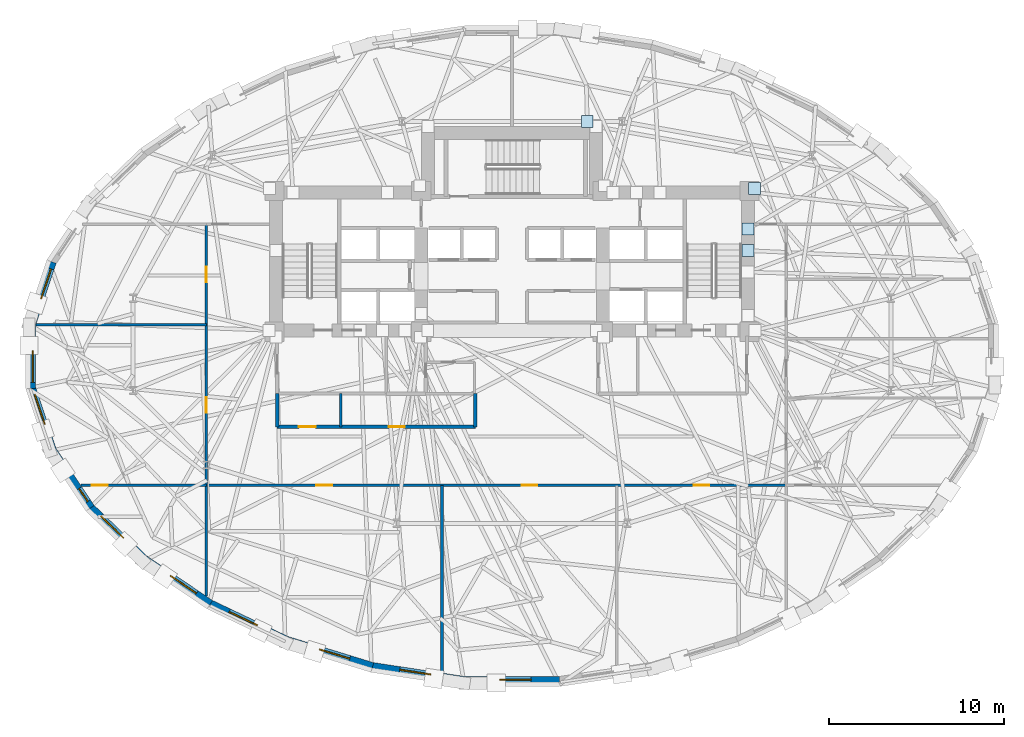
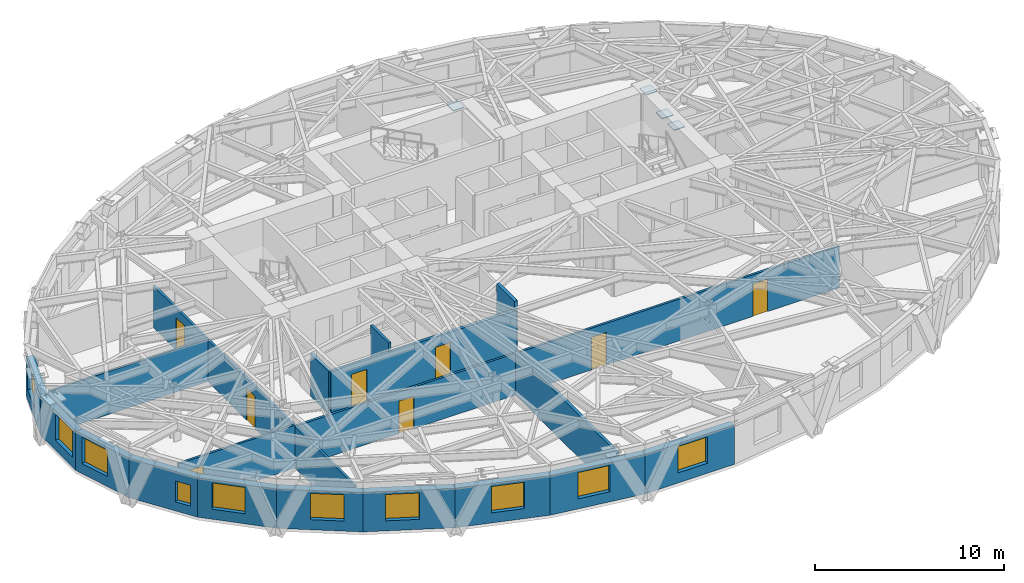
# One storey, part 6 of 14: 19 walls, 10 windows, 8 doors, 4 plates, 18 openings.
"""IFC4 building model written with IfcOpenShell, lengths in metres."""

import ifcopenshell
import ifcopenshell.guid

model = None  # the IFC model being written
_history = None  # IfcOwnerHistory: only IFC2X3 demands one
_inside = {}  # id of a spatial element -> (the spatial element, [elements in it])
_under = {}  # id of a project, library or spatial element -> (it, [spatial elements below it])
_declared = {}  # id of a project -> (the project, [libraries it declares])
_typed = {}  # id of a type object -> (the type object, [elements of that type])
_made_of = {}  # id of a material, layer set ... -> (it, [elements and type objects made of it])


def new_model(schema):
    """Start an empty IFC model of exactly this schema.

    Asked for "IFC4X3", IfcOpenShell would pick the latest addendum, in which some entities
    have other attributes; the version numbers below select the first issue.
    IFC2X3 requires an IfcOwnerHistory on every rooted entity: one is made here for all.
    """
    global model, _history
    if schema == "IFC4X3":
        model = ifcopenshell.file(schema_version=(4, 3, 0, 0))
    else:
        model = ifcopenshell.file(schema=schema)
    _inside.clear()
    _under.clear()
    _declared.clear()
    _typed.clear()
    _made_of.clear()
    _history = None
    if model.schema == "IFC2X3":
        org = make("IfcOrganization", Name="unknown")
        user = make(
            "IfcPersonAndOrganization",
            ThePerson=make("IfcPerson", FamilyName="unknown"),
            TheOrganization=org,
        )
        app = make(
            "IfcApplication",
            ApplicationDeveloper=org,
            Version="unknown",
            ApplicationFullName="unknown",
            ApplicationIdentifier="unknown",
        )
        _history = make(
            "IfcOwnerHistory",
            OwningUser=user,
            OwningApplication=app,
            ChangeAction="ADDED",
            CreationDate=0,
        )
    return model


def make(cls, **values):
    """One entity of the class cls with the attributes given. An attribute that is None is left unset."""
    return model.create_entity(
        cls, **{name: value for name, value in values.items() if value is not None}
    )


def rooted(cls, **values):
    """An entity with a GlobalId (a new one), such as an element, a storey or a relation."""
    return make(cls, GlobalId=ifcopenshell.guid.new(), OwnerHistory=_history, **values)


def si_unit(unit_type, name, prefix=None):
    """IfcSIUnit, for example si_unit("LENGTHUNIT", "METRE", prefix="MILLI")."""
    return make("IfcSIUnit", UnitType=unit_type, Prefix=prefix, Name=name)


def assignment(units):
    """IfcUnitAssignment: the units of a project."""
    return None if units is None else make("IfcUnitAssignment", Units=units)


def point(xyz):
    """IfcCartesianPoint."""
    return None if xyz is None else make("IfcCartesianPoint", Coordinates=xyz)


def direction(xyz):
    """IfcDirection."""
    return None if xyz is None else make("IfcDirection", DirectionRatios=xyz)


def frame(location, z_axis=None, x_axis=None):
    """IfcAxis2Placement3D, a coordinate frame: its origin and axes. An axis left out is left unset."""
    return make(
        "IfcAxis2Placement3D",
        Location=point(location),
        Axis=direction(z_axis),
        RefDirection=direction(x_axis),
    )


def frame_2d(location, x_axis=None):
    """IfcAxis2Placement2D, a coordinate frame in the plane: its origin and x axis."""
    return make(
        "IfcAxis2Placement2D", Location=point(location), RefDirection=direction(x_axis)
    )


def origin():
    """The frame at (0, 0, 0) with its axes left unset."""
    return frame((0.0, 0.0, 0.0))


def origin_2d():
    """The frame at (0, 0) in the plane with its x axis left unset."""
    return frame_2d((0.0, 0.0))


def place(relative_to, where):
    """IfcLocalPlacement: puts the frame where relative to a parent placement (None: the world)."""
    return make(
        "IfcLocalPlacement", PlacementRelTo=relative_to, RelativePlacement=where
    )


def context(
    kind, dimensions, precision=None, world=None, true_north=None, identifier=None
):
    """IfcGeometricRepresentationContext, for example the 3D "Model" context."""
    return make(
        "IfcGeometricRepresentationContext",
        ContextIdentifier=identifier,
        ContextType=kind,
        CoordinateSpaceDimension=dimensions,
        Precision=precision,
        WorldCoordinateSystem=world,
        TrueNorth=true_north,
    )


def subcontext(parent, identifier, kind, view, scale=None):
    """IfcGeometricRepresentationSubContext, for example "Body" below "Model"."""
    return make(
        "IfcGeometricRepresentationSubContext",
        ContextIdentifier=identifier,
        ContextType=kind,
        ParentContext=parent,
        TargetScale=scale,
        TargetView=view,
    )


def project(units=None, contexts=None):
    """IfcProject with its units and contexts."""
    return rooted(
        "IfcProject",
        Name="project",
        RepresentationContexts=contexts,
        UnitsInContext=assignment(units),
    )


def spatial(cls, under=None, at=None, **own):
    """A site, building, storey or space (cls), placed at a placement, below another one or the project."""
    s = rooted(cls, ObjectPlacement=at, **own)
    if under is not None:
        _under.setdefault(under.id(), (under, []))[1].append(s)
    return s


def profile(cls, at=None, kind="AREA", **sizes):
    """A parametric profile (cls). Its sizes go by their IFC names, for example OverallWidth=200.0."""
    return make(cls, ProfileType=kind, Position=at, **sizes)


def rectangle(**sizes):
    """IfcRectangleProfileDef."""
    return profile("IfcRectangleProfileDef", **sizes)


def extrude(swept, where, along, depth):
    """IfcExtrudedAreaSolid: the profile swept, set in the frame where, extruded along a direction by depth."""
    return make(
        "IfcExtrudedAreaSolid",
        SweptArea=swept,
        Position=where,
        ExtrudedDirection=direction(along),
        Depth=depth,
    )


def shape(context_of_items, identifier, shape_type, items):
    """IfcShapeRepresentation: the items that make up one representation, for example the "Body"."""
    return make(
        "IfcShapeRepresentation",
        ContextOfItems=context_of_items,
        RepresentationIdentifier=identifier,
        RepresentationType=shape_type,
        Items=items,
    )


def material(Name=None, Category=None):
    """IfcMaterial."""
    return make("IfcMaterial", Name=Name, Category=Category)


def layer(
    of_material, thickness, ventilated=None, Name=None, Category=None, Priority=None
):
    """IfcMaterialLayer: one layer of a wall or slab, of a material (None: an air gap)."""
    return make(
        "IfcMaterialLayer",
        Material=of_material,
        LayerThickness=thickness,
        IsVentilated=ventilated,
        Name=Name,
        Category=Category,
        Priority=Priority,
    )


def layer_set(layers, Name=None):
    """IfcMaterialLayerSet."""
    return make("IfcMaterialLayerSet", MaterialLayers=layers, LayerSetName=Name)


def made_of(thing, what):
    """Note that an element or type object is made of a material, layer set ...; save() writes the relation."""
    if what is not None:
        _made_of.setdefault(what.id(), (what, []))[1].append(thing)
    return thing


def type_object(cls, material=None, **own):
    """A type object (cls), such as IfcWallType, which elements share."""
    return made_of(rooted(cls, **own), material)


def element(
    cls,
    number,
    at=None,
    inside=None,
    cuts=None,
    type_object=None,
    material=None,
    context=None,
    identifier="Body",
    shape_type=None,
    held_by="IfcProductDefinitionShape",
    body=None,
    shapes=None,
    **own,
):
    """One element of the class cls, such as IfcWall. Its Tag is "e" and its number.

    at: its placement. inside: the storey or other place that contains it. cuts: it is an
    opening in that element (IfcRelVoidsElement). A single representation is given by context,
    identifier, shape_type and body (its items); several are given by shapes. held_by: the class
    of the entity that holds the representations. save() writes the other relations.
    """
    e = rooted(cls, Tag="e%d" % number, ObjectPlacement=at, **own)
    if body is not None:
        shapes = [shape(context, identifier, shape_type, body)]
    if shapes is not None:
        e.Representation = make(held_by, Representations=shapes)
    if inside is not None:
        _inside.setdefault(inside.id(), (inside, []))[1].append(e)
    if cuts is not None:
        rooted(
            "IfcRelVoidsElement", RelatingBuildingElement=cuts, RelatedOpeningElement=e
        )
    if type_object is not None:
        _typed.setdefault(type_object.id(), (type_object, []))[1].append(e)
    return made_of(e, material)


def fill(opening, filler):
    """IfcRelFillsElement: the door or window that sits in an opening."""
    return rooted(
        "IfcRelFillsElement",
        RelatingOpeningElement=opening,
        RelatedBuildingElement=filler,
    )


def aggregate(whole, parts):
    """IfcRelAggregates: a whole, such as a stair, and the parts it consists of."""
    return rooted("IfcRelAggregates", RelatingObject=whole, RelatedObjects=parts)


def save(model, path):
    """Write the relations noted so far, then the file.

    IfcRelAggregates (storeys below a building ...), IfcRelContainedInSpatialStructure (elements
    in a storey), IfcRelDefinesByType, IfcRelAssociatesMaterial and IfcRelDeclares: one each for
    every whole, place, type object, material and project.
    """
    for whole, parts in _under.values():
        aggregate(whole, parts)
    for where, things in _inside.values():
        rooted(
            "IfcRelContainedInSpatialStructure",
            RelatedElements=things,
            RelatingStructure=where,
        )
    for kind, things in _typed.values():
        rooted("IfcRelDefinesByType", RelatedObjects=things, RelatingType=kind)
    for what, things in _made_of.values():
        rooted("IfcRelAssociatesMaterial", RelatedObjects=things, RelatingMaterial=what)
    for by, libraries in _declared.values():
        rooted("IfcRelDeclares", RelatingContext=by, RelatedDefinitions=libraries)
    model.write(path)


model = new_model("IFC4")

# Units and contexts
model_context = context("Model", 3, precision=1e-05, world=origin(), true_north=direction((0.0, 1.0)))
body_context = subcontext(model_context, "Body", "Model", "MODEL_VIEW")
ifc_project = project(units=[si_unit("LENGTHUNIT", "METRE"), si_unit("AREAUNIT", "SQUARE_METRE"), si_unit("VOLUMEUNIT", "CUBIC_METRE"), si_unit("PLANEANGLEUNIT", "RADIAN"), si_unit("MASSUNIT", "GRAM", prefix="KILO")], contexts=[model_context])

# Site, building, storey
site_placement = place(None, origin())
site = spatial("IfcSite", under=ifc_project, at=site_placement, CompositionType="ELEMENT")
building_placement = place(site_placement, origin())
building = spatial("IfcBuilding", under=site, at=building_placement, Name="Keldmark Tower", CompositionType="ELEMENT")
storey_placement = place(building_placement, frame((0.0, 0.0, 103.60009765625)))
storey = spatial("IfcBuildingStorey", under=building, at=storey_placement, Name="L27", CompositionType="ELEMENT", Elevation=103.60009765625)

# Plates
ifc_material_1 = material(Name="Steel ASTM A572 Grade 50", Category="steel")
ifc_layer_1 = layer(ifc_material_1, 0.06005859375)
ifc_layer_set_1 = layer_set([ifc_layer_1], Name="Steel ASTM A572 Grade 50")
plate_type = type_object("IfcPlateType", Name="Belt Truss Kink Node Assembly KN01 60 mm", PredefinedType="USERDEFINED", material=ifc_layer_set_1)
for number, where, z_axis, x_axis, name in (
    (1, (13.878173828125, 9.608154296875, 3.01416015625), (0.0, 0.0, 1.0), (1.0, 0.0, 0.0), "L27 Core Wall Cast-In Embed Plate 747"),
    (2, (13.52490234375, 7.278564453125, 3.01416015625), (0.0, 0.0, 1.0), (1.0, 0.0, 0.0), "L27 Core Wall Cast-In Embed Plate 760"),
    (3, (13.52490234375, 6.04296875, 3.01416015625), (0.0, 0.0, 1.0), (1.0, 0.0, 0.0), "L27 Core Wall Cast-In Embed Plate 774"),
    (4, (4.311279296875, 13.4326171875, 3.01416015625), (0.0, 0.0, 1.0), (1.0, 0.0, 0.0), "L27 Core Wall Cast-In Embed Plate 775"),
):
    element("IfcPlate", number, at=place(storey_placement, frame(where, z_axis=z_axis, x_axis=x_axis)), inside=storey, type_object=plate_type, Name=name, ObjectType="CAP PLATE", PredefinedType="USERDEFINED", context=body_context, shape_type="SweptSolid", body=[
        extrude(rectangle(XDim=0.679931640625, YDim=0.679931640625, at=origin_2d()), origin(), (0.0, 0.0, 1.0), 0.054931640625),
    ])

# Wall, openings, doors
ifc_material_2 = material(Name="Acoustic Double-Layer Gypsum Corridor Partition", Category="gypsum")
ifc_layer_2 = layer(ifc_material_2, 0.139892578125)
ifc_layer_set_2 = layer_set([ifc_layer_2], Name="Acoustic Double-Layer Gypsum Corridor Partition")
wall_type_1 = type_object("IfcWallType", Name="Acoustic Corridor Partition 140 mm", PredefinedType="PARTITIONING", material=ifc_layer_set_2)
wall_1_placement = place(storey_placement, frame((-17.5, -7.39990234375, 0.0), z_axis=(0.0, 0.0, 1.0), x_axis=(1.0, 0.0, 0.0)))
wall_1 = element("IfcWall", 5, at=wall_1_placement, inside=storey, type_object=wall_type_1, Name="L27 Acoustic Corridor Partition 140 mm COR-S", PredefinedType="PARTITIONING", context=body_context, shape_type="SweptSolid", body=[
    extrude(rectangle(XDim=33.199951171875, YDim=0.139892578125, at=frame_2d((16.60009765625, 0.0))), origin(), (0.0, 0.0, 1.0), 2.68798828125),
])
opening_1_placement = place(wall_1_placement, frame((6.300048828125, 0.0, 0.0)))
opening_1 = element("IfcOpeningElement", 6, at=opening_1_placement, cuts=wall_1, Name="Opening D-IN090", PredefinedType="OPENING", context=body_context, shape_type="SweptSolid", body=[
    extrude(rectangle(XDim=0.89990234375, YDim=2.10009765625, at=frame_2d((0.449951171875, 1.050048828125))), frame((0.0, 0.079833984375, 0.0), z_axis=(0.0, -1.0, 0.0), x_axis=(1.0, 0.0, 0.0)), (0.0, 0.0, 1.0), 0.159912109375),
])
opening_2_placement = place(wall_1_placement, frame((18.050048828125, 0.0, 0.0)))
opening_2 = element("IfcOpeningElement", 7, at=opening_2_placement, cuts=wall_1, Name="Opening D-IN090", PredefinedType="OPENING", context=body_context, shape_type="SweptSolid", body=[
    extrude(rectangle(XDim=0.89990234375, YDim=2.10009765625, at=frame_2d((0.449951171875, 1.050048828125))), frame((0.0, 0.079833984375, 0.0), z_axis=(0.0, -1.0, 0.0), x_axis=(1.0, 0.0, 0.0)), (0.0, 0.0, 1.0), 0.159912109375),
])
opening_3_placement = place(wall_1_placement, frame((27.89990234375, 0.0, 0.0)))
opening_3 = element("IfcOpeningElement", 8, at=opening_3_placement, cuts=wall_1, Name="Opening D-IN090", PredefinedType="OPENING", context=body_context, shape_type="SweptSolid", body=[
    extrude(rectangle(XDim=0.89990234375, YDim=2.10009765625, at=frame_2d((0.449951171875, 1.050048828125))), frame((0.0, 0.079833984375, 0.0), z_axis=(0.0, -1.0, 0.0), x_axis=(1.0, 0.0, 0.0)), (0.0, 0.0, 1.0), 0.159912109375),
])
ifc_material_3 = material(Name="Stained American White Oak Veneer", Category="wood")
door_type_1 = type_object("IfcDoorType", Name="Interior Door 900x2100", OperationType="NOTDEFINED", PredefinedType="DOOR", material=ifc_material_3)
door_1_placement = place(opening_1_placement, origin())
door_1 = element("IfcDoor", 9, at=door_1_placement, inside=storey, type_object=door_type_1, Name="L27 Interior Door 900x2100 D-SR-1-L27", OperationType="SINGLE_SWING_LEFT", OverallHeight=2.10009765625, OverallWidth=0.89990234375, PredefinedType="DOOR", context=body_context, shape_type="SweptSolid", body=[
    extrude(rectangle(XDim=0.89990234375, YDim=2.10009765625, at=frame_2d((0.449951171875, 1.050048828125))), frame((0.0, 0.02490234375, 0.0), z_axis=(0.0, -1.0, 0.0), x_axis=(1.0, 0.0, 0.0)), (0.0, 0.0, 1.0), 0.050048828125),
])
fill(opening_1, door_1)
door_2_placement = place(opening_2_placement, origin())
door_2 = element("IfcDoor", 10, at=door_2_placement, inside=storey, type_object=door_type_1, Name="L27 Interior Door 900x2100 D-SR-2-L27", OperationType="SINGLE_SWING_RIGHT", OverallHeight=2.10009765625, OverallWidth=0.89990234375, PredefinedType="DOOR", context=body_context, shape_type="SweptSolid", body=[
    extrude(rectangle(XDim=0.89990234375, YDim=2.10009765625, at=frame_2d((0.449951171875, 1.050048828125))), frame((0.0, 0.02490234375, 0.0), z_axis=(0.0, -1.0, 0.0), x_axis=(1.0, 0.0, 0.0)), (0.0, 0.0, 1.0), 0.050048828125),
])
fill(opening_2, door_2)
door_3_placement = place(opening_3_placement, origin())
door_3 = element("IfcDoor", 11, at=door_3_placement, inside=storey, type_object=door_type_1, Name="L27 Interior Door 900x2100 D-SR-3-L27", OperationType="SINGLE_SWING_LEFT", OverallHeight=2.10009765625, OverallWidth=0.89990234375, PredefinedType="DOOR", context=body_context, shape_type="SweptSolid", body=[
    extrude(rectangle(XDim=0.89990234375, YDim=2.10009765625, at=frame_2d((0.449951171875, 1.050048828125))), frame((0.0, 0.02490234375, 0.0), z_axis=(0.0, -1.0, 0.0), x_axis=(1.0, 0.0, 0.0)), (0.0, 0.0, 1.0), 0.050048828125),
])
fill(opening_3, door_3)

wall_2_placement = place(storey_placement, frame((-17.5, -13.748291015625, 0.0), z_axis=(0.0, 0.0, 1.0), x_axis=(0.0, 1.0, 0.0)))
wall_2 = element("IfcWall", 12, at=wall_2_placement, inside=storey, type_object=wall_type_1, Name="L27 Acoustic Corridor Partition 140 mm COR-W", PredefinedType="PARTITIONING", context=body_context, shape_type="SweptSolid", body=[
    extrude(rectangle(XDim=21.29833984375, YDim=0.139892578125, at=frame_2d((10.649169921875, 0.0))), origin(), (0.0, 0.0, 1.0), 2.68798828125),
])
opening_4_placement = place(wall_2_placement, frame((10.49853515625, 0.0, 0.0)))
opening_4 = element("IfcOpeningElement", 13, at=opening_4_placement, cuts=wall_2, Name="Opening D-IN090", PredefinedType="OPENING", context=body_context, shape_type="SweptSolid", body=[
    extrude(rectangle(XDim=0.89990234375, YDim=2.10009765625, at=frame_2d((0.449951171875, 1.050048828125))), frame((0.0, 0.079833984375, 0.0), z_axis=(0.0, -1.0, 0.0), x_axis=(1.0, 0.0, 0.0)), (0.0, 0.0, 1.0), 0.159912109375),
])
opening_5_placement = place(wall_2_placement, frame((17.9736328125, 0.0, 0.0)))
opening_5 = element("IfcOpeningElement", 14, at=opening_5_placement, cuts=wall_2, Name="Opening D-IN090", PredefinedType="OPENING", context=body_context, shape_type="SweptSolid", body=[
    extrude(rectangle(XDim=0.89990234375, YDim=2.10009765625, at=frame_2d((0.449951171875, 1.050048828125))), frame((0.0, 0.079833984375, 0.0), z_axis=(0.0, -1.0, 0.0), x_axis=(1.0, 0.0, 0.0)), (0.0, 0.0, 1.0), 0.159912109375),
])
door_4_placement = place(opening_4_placement, origin())
door_4 = element("IfcDoor", 15, at=door_4_placement, inside=storey, type_object=door_type_1, Name="L27 Interior Door 900x2100 D-WR-1-L27", OperationType="SINGLE_SWING_RIGHT", OverallHeight=2.10009765625, OverallWidth=0.89990234375, PredefinedType="DOOR", context=body_context, shape_type="SweptSolid", body=[
    extrude(rectangle(XDim=0.89990234375, YDim=2.10009765625, at=frame_2d((0.449951171875, 1.050048828125))), frame((0.0, 0.02490234375, 0.0), z_axis=(0.0, -1.0, 0.0), x_axis=(1.0, 0.0, 0.0)), (0.0, 0.0, 1.0), 0.050048828125),
])
fill(opening_4, door_4)
door_5_placement = place(opening_5_placement, origin())
door_5 = element("IfcDoor", 16, at=door_5_placement, inside=storey, type_object=door_type_1, Name="L27 Interior Door 900x2100 D-WR-2-L27", OperationType="SINGLE_SWING_RIGHT", OverallHeight=2.10009765625, OverallWidth=0.89990234375, PredefinedType="DOOR", context=body_context, shape_type="SweptSolid", body=[
    extrude(rectangle(XDim=0.89990234375, YDim=2.10009765625, at=frame_2d((0.449951171875, 1.050048828125))), frame((0.0, 0.02490234375, 0.0), z_axis=(0.0, -1.0, 0.0), x_axis=(1.0, 0.0, 0.0)), (0.0, 0.0, 1.0), 0.050048828125),
])
fill(opening_5, door_5)

# Wall
ifc_material_4 = material(Name="STC-58 Insulated Tenant Demising Gypsum Partition", Category="gypsum")
ifc_layer_3 = layer(ifc_material_4, 0.175048828125)
ifc_layer_set_3 = layer_set([ifc_layer_3], Name="STC-58 Insulated Tenant Demising Gypsum Partition")
wall_type_2 = type_object("IfcWallType", Name="Demising Suite Partition 175 mm", PredefinedType="PARTITIONING", material=ifc_layer_set_3)
wall_3_placement = place(storey_placement, frame((-4.0, -18.14208984375, 0.0), z_axis=(0.0, 0.0, 1.0), x_axis=(0.0, 1.0, 0.0)))
element("IfcWall", 17, at=wall_3_placement, inside=storey, type_object=wall_type_2, Name="L27 Demising Suite Partition 175 mm S-DIV-1", PredefinedType="PARTITIONING", context=body_context, shape_type="SweptSolid", body=[
    extrude(rectangle(XDim=10.7421875, YDim=0.175048828125, at=frame_2d((5.37109375, 0.0))), origin(), (0.0, 0.0, 1.0), 2.762939453125),
])

# Wall, openings, doors
ifc_material_5 = material(Name="Heavy Acoustic Plumbing Chase Gypsum Assembly", Category="gypsum")
ifc_layer_4 = layer(ifc_material_5, 0.18994140625)
ifc_layer_set_4 = layer_set([ifc_layer_4], Name="Heavy Acoustic Plumbing Chase Gypsum Assembly")
wall_type_3 = type_object("IfcWallType", Name="Heavy Wet Wall 190 mm", PredefinedType="PLUMBINGWALL", material=ifc_layer_set_4)
wall_4_placement = place(storey_placement, frame((-13.449951171875, -4.050048828125, 0.0), z_axis=(0.0, 0.0, 1.0), x_axis=(1.0, 0.0, 0.0)))
wall_4 = element("IfcWall", 18, at=wall_4_placement, inside=storey, type_object=wall_type_3, Name="L27 Heavy Wet Wall 190 mm SPK-W-S", PredefinedType="PLUMBINGWALL", context=body_context, shape_type="SweptSolid", body=[
    extrude(rectangle(XDim=11.349853515625, YDim=0.18994140625, at=frame_2d((5.6748046875, 0.0))), origin(), (0.0, 0.0, 1.0), 2.762939453125),
])
opening_6_placement = place(wall_4_placement, frame((1.25, 0.0, 0.0)))
opening_6 = element("IfcOpeningElement", 19, at=opening_6_placement, cuts=wall_4, Name="Opening D-AWC95", PredefinedType="OPENING", context=body_context, shape_type="SweptSolid", body=[
    extrude(rectangle(XDim=0.949951171875, YDim=2.14990234375, at=frame_2d((0.47509765625, 1.074951171875))), frame((0.0, 0.10498046875, 0.0), z_axis=(0.0, -1.0, 0.0), x_axis=(1.0, 0.0, 0.0)), (0.0, 0.0, 1.0), 0.2099609375),
])
opening_7_placement = place(wall_4_placement, frame((6.39990234375, 0.0, 0.0)))
opening_7 = element("IfcOpeningElement", 20, at=opening_7_placement, cuts=wall_4, Name="Opening D-IN090", PredefinedType="OPENING", context=body_context, shape_type="SweptSolid", body=[
    extrude(rectangle(XDim=0.89990234375, YDim=2.10009765625, at=frame_2d((0.449951171875, 1.050048828125))), frame((0.0, 0.10498046875, 0.0), z_axis=(0.0, -1.0, 0.0), x_axis=(1.0, 0.0, 0.0)), (0.0, 0.0, 1.0), 0.2099609375),
])
ifc_material_6 = material(Name="Painted Solid-Core Architectural Wood", Category="wood")
door_type_2 = type_object("IfcDoorType", Name="Accessible WC Door 950x2150", OperationType="NOTDEFINED", PredefinedType="DOOR", material=ifc_material_6)
door_6_placement = place(opening_6_placement, origin())
door_6 = element("IfcDoor", 21, at=door_6_placement, inside=storey, type_object=door_type_2, Name="L27 Accessible WC Door 950x2150 D-SPKW1-L27", OperationType="SINGLE_SWING_RIGHT", OverallHeight=2.14990234375, OverallWidth=0.949951171875, PredefinedType="DOOR", context=body_context, shape_type="SweptSolid", body=[
    extrude(rectangle(XDim=0.949951171875, YDim=2.14990234375, at=frame_2d((0.47509765625, 1.074951171875))), frame((0.0, 0.02490234375, 0.0), z_axis=(0.0, -1.0, 0.0), x_axis=(1.0, 0.0, 0.0)), (0.0, 0.0, 1.0), 0.050048828125),
])
fill(opening_6, door_6)
door_7_placement = place(opening_7_placement, origin())
door_7 = element("IfcDoor", 22, at=door_7_placement, inside=storey, type_object=door_type_1, Name="L27 Interior Door 900x2100 D-SPKW2-L27", OperationType="SINGLE_SWING_RIGHT", OverallHeight=2.10009765625, OverallWidth=0.89990234375, PredefinedType="DOOR", context=body_context, shape_type="SweptSolid", body=[
    extrude(rectangle(XDim=0.89990234375, YDim=2.10009765625, at=frame_2d((0.449951171875, 1.050048828125))), frame((0.0, 0.02490234375, 0.0), z_axis=(0.0, -1.0, 0.0), x_axis=(1.0, 0.0, 0.0)), (0.0, 0.0, 1.0), 0.050048828125),
])
fill(opening_7, door_7)

# Walls
wall_5_placement = place(storey_placement, frame((-13.449951171875, -4.050048828125, 0.0), z_axis=(0.0, 0.0, 1.0), x_axis=(0.0, 1.0, 0.0)))
element("IfcWall", 23, at=wall_5_placement, inside=storey, type_object=wall_type_3, Name="L27 Heavy Wet Wall 190 mm SPK-W-W", PredefinedType="PLUMBINGWALL", context=body_context, shape_type="SweptSolid", body=[
    extrude(rectangle(XDim=1.900146484375, YDim=0.18994140625, at=frame_2d((0.9501953125, 0.0))), origin(), (0.0, 0.0, 1.0), 2.762939453125),
])
wall_6_placement = place(storey_placement, frame((-2.10009765625, -4.050048828125, 0.0), z_axis=(0.0, 0.0, 1.0), x_axis=(0.0, 1.0, 0.0)))
element("IfcWall", 24, at=wall_6_placement, inside=storey, type_object=wall_type_3, Name="L27 Heavy Wet Wall 190 mm SPK-W-E", PredefinedType="PLUMBINGWALL", context=body_context, shape_type="SweptSolid", body=[
    extrude(rectangle(XDim=1.900146484375, YDim=0.18994140625, at=frame_2d((0.9501953125, 0.0))), origin(), (0.0, 0.0, 1.0), 3.309814453125),
])

# Wall, opening, door
ifc_material_7 = material(Name="Acoustic Gypsum Board Interior Partition", Category="gypsum")
ifc_layer_5 = layer(ifc_material_7, 0.1298828125)
ifc_layer_set_5 = layer_set([ifc_layer_5], Name="Acoustic Gypsum Board Interior Partition")
wall_type_4 = type_object("IfcWallType", Name="Interior Partition 130 mm", PredefinedType="PARTITIONING", material=ifc_layer_set_5)
wall_7_placement = place(storey_placement, frame((-24.688720703125, -7.39990234375, 0.0), z_axis=(0.0, 0.0, 1.0), x_axis=(1.0, 0.0, 0.0)))
wall_7 = element("IfcWall", 25, at=wall_7_placement, inside=storey, type_object=wall_type_4, Name="L27 Interior Partition 130 mm W-CAP-S", PredefinedType="PARTITIONING", context=body_context, shape_type="SweptSolid", body=[
    extrude(rectangle(XDim=7.188720703125, YDim=0.1298828125, at=frame_2d((3.59423828125, 0.0))), origin(), (0.0, 0.0, 1.0), 2.762939453125),
])
opening_8_placement = place(wall_7_placement, frame((0.6298828125, 0.0, 0.0)))
opening_8 = element("IfcOpeningElement", 26, at=opening_8_placement, cuts=wall_7, Name="Opening D-IN090", PredefinedType="OPENING", context=body_context, shape_type="SweptSolid", body=[
    extrude(rectangle(XDim=0.89990234375, YDim=2.10009765625, at=frame_2d((0.449951171875, 1.050048828125))), frame((0.0, 0.074951171875, 0.0), z_axis=(0.0, -1.0, 0.0), x_axis=(1.0, 0.0, 0.0)), (0.0, 0.0, 1.0), 0.14990234375),
])
door_8_placement = place(opening_8_placement, origin())
door_8 = element("IfcDoor", 27, at=door_8_placement, inside=storey, type_object=door_type_1, Name="L27 Interior Door 900x2100 D-WRSW-L27", OperationType="SINGLE_SWING_LEFT", OverallHeight=2.10009765625, OverallWidth=0.89990234375, PredefinedType="DOOR", context=body_context, shape_type="SweptSolid", body=[
    extrude(rectangle(XDim=0.89990234375, YDim=2.10009765625, at=frame_2d((0.449951171875, 1.050048828125))), frame((0.0, 0.02490234375, 0.0), z_axis=(0.0, -1.0, 0.0), x_axis=(1.0, 0.0, 0.0)), (0.0, 0.0, 1.0), 0.050048828125),
])
fill(opening_8, door_8)

# Wall
wall_8_placement = place(storey_placement, frame((-27.260498046875, 1.800048828125, 0.0), z_axis=(0.0, 0.0, 1.0), x_axis=(1.0, 0.0, 0.0)))
element("IfcWall", 28, at=wall_8_placement, inside=storey, type_object=wall_type_4, Name="L27 Interior Partition 130 mm W-DIV-1", PredefinedType="PARTITIONING", context=body_context, shape_type="SweptSolid", body=[
    extrude(rectangle(XDim=9.760498046875, YDim=0.1298828125, at=frame_2d((4.88037109375, 0.0))), origin(), (0.0, 0.0, 1.0), 2.762939453125),
])

# Wall, opening, window
ifc_material_8 = material(Name="Ironspot Manganese Brick and Kasota Buff Limestone Spandrel Assembly", Category="masonry")
ifc_layer_6 = layer(ifc_material_8, 0.43994140625)
ifc_layer_set_6 = layer_set([ifc_layer_6], Name="Ironspot Manganese Brick and Kasota Buff Limestone Spandrel Assembly")
wall_type_5 = type_object("IfcWallType", Name="Tower Brick Pier and Spandrel Wall 440 mm", PredefinedType="STANDARD", material=ifc_layer_set_6)
wall_9_placement = place(storey_placement, frame((-27.5068359375, 1.781494140625, 0.0), z_axis=(0.0, 0.0, 1.0), x_axis=(0.314316911692, 0.94931811266, 0.0)))
wall_9 = element("IfcWall", 29, at=wall_9_placement, inside=storey, type_object=wall_type_5, Name="L27 Exterior Brick and Spandrel Wall 15", PredefinedType="STANDARD", context=body_context, shape_type="SweptSolid", body=[
    extrude(rectangle(XDim=3.7958984375, YDim=0.43994140625, at=frame_2d((1.89794921875, 0.0))), origin(), (0.0, 0.0, 1.0), 2.52783203125),
])
opening_9_placement = place(wall_9_placement, frame((1.596435546875, 0.0, 0.64990234375)))
opening_9 = element("IfcOpeningElement", 30, at=opening_9_placement, cuts=wall_9, Name="Opening W-02", PredefinedType="OPENING", context=body_context, shape_type="SweptSolid", body=[
    extrude(rectangle(XDim=1.800048828125, YDim=1.699951171875, at=frame_2d((0.89990234375, 0.85009765625))), frame((0.0, 0.22998046875, 0.0), z_axis=(0.0, -1.0, 0.0), x_axis=(1.0, 0.0, 0.0)), (0.0, 0.0, 1.0), 0.4599609375),
])
ifc_material_9 = material(Name="Thermally Broken Anodized Aluminum and Triple Low-E Argon Glazing", Category="aluminium")
window_type_1 = type_object("IfcWindowType", Name="Office Deep-Set Triple Window 1800x1700", PartitioningType="TRIPLE_PANEL_VERTICAL", PredefinedType="WINDOW", material=ifc_material_9)
window_1_placement = place(opening_9_placement, origin())
window_1 = element("IfcWindow", 31, at=window_1_placement, inside=storey, type_object=window_type_1, Name="L27 Deep-Set Window 15", OverallHeight=1.699951171875, OverallWidth=1.800048828125, PartitioningType="SINGLE_PANEL", PredefinedType="WINDOW", context=body_context, shape_type="SweptSolid", body=[
    extrude(rectangle(XDim=1.800048828125, YDim=1.699951171875, at=frame_2d((0.89990234375, 0.85009765625))), frame((0.0, -0.010009765625, 0.0), z_axis=(0.0, -1.0, 0.0), x_axis=(1.0, 0.0, 0.0)), (0.0, 0.0, 1.0), 0.06005859375),
])
fill(opening_9, window_1)

wall_10_placement = place(storey_placement, frame((-27.49560546875, -1.8505859375, 0.0), z_axis=(0.0, 0.0, 1.0), x_axis=(0.0, 1.0, 0.0)))
wall_10 = element("IfcWall", 32, at=wall_10_placement, inside=storey, type_object=wall_type_5, Name="L27 Exterior Brick and Spandrel Wall 16", PredefinedType="STANDARD", context=body_context, shape_type="SweptSolid", body=[
    extrude(rectangle(XDim=3.701171875, YDim=0.43994140625, at=frame_2d((1.8505859375, 0.0))), origin(), (0.0, 0.0, 1.0), 2.52783203125),
])
opening_10_placement = place(wall_10_placement, frame((0.34521484375, 0.0, 0.64990234375)))
opening_10 = element("IfcOpeningElement", 33, at=opening_10_placement, cuts=wall_10, Name="Opening W-02", PredefinedType="OPENING", context=body_context, shape_type="SweptSolid", body=[
    extrude(rectangle(XDim=1.800048828125, YDim=1.699951171875, at=frame_2d((0.89990234375, 0.85009765625))), frame((0.0, 0.22998046875, 0.0), z_axis=(0.0, -1.0, 0.0), x_axis=(1.0, 0.0, 0.0)), (0.0, 0.0, 1.0), 0.4599609375),
])
window_2_placement = place(opening_10_placement, origin())
window_2 = element("IfcWindow", 34, at=window_2_placement, inside=storey, type_object=window_type_1, Name="L27 Deep-Set Window 16", OverallHeight=1.699951171875, OverallWidth=1.800048828125, PartitioningType="SINGLE_PANEL", PredefinedType="WINDOW", context=body_context, shape_type="SweptSolid", body=[
    extrude(rectangle(XDim=1.800048828125, YDim=1.699951171875, at=frame_2d((0.89990234375, 0.85009765625))), frame((0.0, -0.010009765625, 0.0), z_axis=(0.0, -1.0, 0.0), x_axis=(1.0, 0.0, 0.0)), (0.0, 0.0, 1.0), 0.06005859375),
])
fill(opening_10, window_2)

wall_11_placement = place(storey_placement, frame((-26.313720703125, -5.385009765625, 0.0), z_axis=(0.0, 0.0, 1.0), x_axis=(-0.314316911692, 0.94931811266, 0.0)))
wall_11 = element("IfcWall", 35, at=wall_11_placement, inside=storey, type_object=wall_type_5, Name="L27 Exterior Brick and Spandrel Wall 17", PredefinedType="STANDARD", context=body_context, shape_type="SweptSolid", body=[
    extrude(rectangle(XDim=3.7958984375, YDim=0.43994140625, at=frame_2d((1.89794921875, 0.0))), origin(), (0.0, 0.0, 1.0), 2.52783203125),
])
opening_11_placement = place(wall_11_placement, frame((1.546630859375, 0.0, 0.64990234375)))
opening_11 = element("IfcOpeningElement", 36, at=opening_11_placement, cuts=wall_11, Name="Opening W-02", PredefinedType="OPENING", context=body_context, shape_type="SweptSolid", body=[
    extrude(rectangle(XDim=1.800048828125, YDim=1.699951171875, at=frame_2d((0.89990234375, 0.85009765625))), frame((0.0, 0.22998046875, 0.0), z_axis=(0.0, -1.0, 0.0), x_axis=(1.0, 0.0, 0.0)), (0.0, 0.0, 1.0), 0.4599609375),
])
window_3_placement = place(opening_11_placement, origin())
window_3 = element("IfcWindow", 37, at=window_3_placement, inside=storey, type_object=window_type_1, Name="L27 Deep-Set Window 17", OverallHeight=1.699951171875, OverallWidth=1.800048828125, PartitioningType="SINGLE_PANEL", PredefinedType="WINDOW", context=body_context, shape_type="SweptSolid", body=[
    extrude(rectangle(XDim=1.800048828125, YDim=1.699951171875, at=frame_2d((0.89990234375, 0.85009765625))), frame((0.0, -0.010009765625, 0.0), z_axis=(0.0, -1.0, 0.0), x_axis=(1.0, 0.0, 0.0)), (0.0, 0.0, 1.0), 0.06005859375),
])
fill(opening_11, window_3)

wall_12_placement = place(storey_placement, frame((-24.10986328125, -8.680419921875, 0.0), z_axis=(0.0, 0.0, 1.0), x_axis=(-0.554293965046, 0.83232097193, 0.0)))
wall_12 = element("IfcWall", 38, at=wall_12_placement, inside=storey, type_object=wall_type_5, Name="L27 Exterior Brick and Spandrel Wall 18", PredefinedType="STANDARD", context=body_context, shape_type="SweptSolid", body=[
    extrude(rectangle(XDim=4.022705078125, YDim=0.43994140625, at=frame_2d((2.01123046875, 0.0))), origin(), (0.0, 0.0, 1.0), 2.52783203125),
])
opening_12_placement = place(wall_12_placement, frame((0.39794921875, 0.0, 0.580078125)))
opening_12 = element("IfcOpeningElement", 39, at=opening_12_placement, cuts=wall_12, Name="Opening W-09", PredefinedType="OPENING", context=body_context, shape_type="SweptSolid", body=[
    extrude(rectangle(XDim=0.89990234375, YDim=1.35009765625, at=frame_2d((0.449951171875, 0.675048828125))), frame((0.0, 0.22998046875, 0.0), z_axis=(0.0, -1.0, 0.0), x_axis=(1.0, 0.0, 0.0)), (0.0, 0.0, 1.0), 0.4599609375),
])
ifc_material_10 = material(Name="Thermally Broken Anodized Aluminum and Triple Low-E Argon Glazing", Category="aluminium")
window_type_2 = type_object("IfcWindowType", Name="Corner Pier Deep-Set Window 900x1350", PartitioningType="SINGLE_PANEL", PredefinedType="WINDOW", material=ifc_material_10)
window_4_placement = place(opening_12_placement, origin())
window_4 = element("IfcWindow", 40, at=window_4_placement, inside=storey, type_object=window_type_2, Name="L27 Deep-Set Window 18", OverallHeight=1.35009765625, OverallWidth=0.89990234375, PartitioningType="SINGLE_PANEL", PredefinedType="WINDOW", context=body_context, shape_type="SweptSolid", body=[
    extrude(rectangle(XDim=0.89990234375, YDim=1.35009765625, at=frame_2d((0.449951171875, 0.675048828125))), frame((0.0, -0.010009765625, 0.0), z_axis=(0.0, -1.0, 0.0), x_axis=(1.0, 0.0, 0.0)), (0.0, 0.0, 1.0), 0.06005859375),
])
fill(opening_12, window_4)

wall_13_placement = place(storey_placement, frame((-21.037109375, -11.6298828125, 0.0), z_axis=(0.0, 0.0, 1.0), x_axis=(-0.720581378362, 0.693370375166, 0.0)))
wall_13 = element("IfcWall", 41, at=wall_13_placement, inside=storey, type_object=wall_type_5, Name="L27 Exterior Brick and Spandrel Wall 19", PredefinedType="STANDARD", context=body_context, shape_type="SweptSolid", body=[
    extrude(rectangle(XDim=4.306640625, YDim=0.43994140625, at=frame_2d((2.1533203125, 0.0))), origin(), (0.0, 0.0, 1.0), 2.52783203125),
])
opening_13_placement = place(wall_13_placement, frame((1.71875, 0.0, 0.64990234375)))
opening_13 = element("IfcOpeningElement", 42, at=opening_13_placement, cuts=wall_13, Name="Opening W-02", PredefinedType="OPENING", context=body_context, shape_type="SweptSolid", body=[
    extrude(rectangle(XDim=1.800048828125, YDim=1.699951171875, at=frame_2d((0.89990234375, 0.85009765625))), frame((0.0, 0.22998046875, 0.0), z_axis=(0.0, -1.0, 0.0), x_axis=(1.0, 0.0, 0.0)), (0.0, 0.0, 1.0), 0.4599609375),
])
window_5_placement = place(opening_13_placement, origin())
window_5 = element("IfcWindow", 43, at=window_5_placement, inside=storey, type_object=window_type_1, Name="L27 Deep-Set Window 19", OverallHeight=1.699951171875, OverallWidth=1.800048828125, PartitioningType="SINGLE_PANEL", PredefinedType="WINDOW", context=body_context, shape_type="SweptSolid", body=[
    extrude(rectangle(XDim=1.800048828125, YDim=1.699951171875, at=frame_2d((0.89990234375, 0.85009765625))), frame((0.0, -0.010009765625, 0.0), z_axis=(0.0, -1.0, 0.0), x_axis=(1.0, 0.0, 0.0)), (0.0, 0.0, 1.0), 0.06005859375),
])
fill(opening_13, window_5)

wall_14_placement = place(storey_placement, frame((-17.266357421875, -14.18212890625, 0.0), z_axis=(0.0, 0.0, 1.0), x_axis=(-0.827754551165, 0.56109036975, 0.0)))
wall_14 = element("IfcWall", 44, at=wall_14_placement, inside=storey, type_object=wall_type_5, Name="L27 Exterior Brick and Spandrel Wall 20", PredefinedType="STANDARD", context=body_context, shape_type="SweptSolid", body=[
    extrude(rectangle(XDim=4.590576171875, YDim=0.43994140625, at=frame_2d((2.29541015625, 0.0))), origin(), (0.0, 0.0, 1.0), 2.52783203125),
])
opening_14_placement = place(wall_14_placement, frame((0.996826171875, 0.0, 0.64990234375)))
opening_14 = element("IfcOpeningElement", 45, at=opening_14_placement, cuts=wall_14, Name="Opening W-02", PredefinedType="OPENING", context=body_context, shape_type="SweptSolid", body=[
    extrude(rectangle(XDim=1.800048828125, YDim=1.699951171875, at=frame_2d((0.89990234375, 0.85009765625))), frame((0.0, 0.22998046875, 0.0), z_axis=(0.0, -1.0, 0.0), x_axis=(1.0, 0.0, 0.0)), (0.0, 0.0, 1.0), 0.4599609375),
])
window_6_placement = place(opening_14_placement, origin())
window_6 = element("IfcWindow", 46, at=window_6_placement, inside=storey, type_object=window_type_1, Name="L27 Deep-Set Window 20", OverallHeight=1.699951171875, OverallWidth=1.800048828125, PartitioningType="SINGLE_PANEL", PredefinedType="WINDOW", context=body_context, shape_type="SweptSolid", body=[
    extrude(rectangle(XDim=1.800048828125, YDim=1.699951171875, at=frame_2d((0.89990234375, 0.85009765625))), frame((0.0, -0.010009765625, 0.0), z_axis=(0.0, -1.0, 0.0), x_axis=(1.0, 0.0, 0.0)), (0.0, 0.0, 1.0), 0.06005859375),
])
fill(opening_14, window_6)

wall_15_placement = place(storey_placement, frame((-12.889892578125, -16.26953125, 0.0), z_axis=(0.0, 0.0, 1.0), x_axis=(-0.902372757907, 0.430956385018, 0.0)))
wall_15 = element("IfcWall", 47, at=wall_15_placement, inside=storey, type_object=wall_type_5, Name="L27 Exterior Brick and Spandrel Wall 21", PredefinedType="STANDARD", context=body_context, shape_type="SweptSolid", body=[
    extrude(rectangle(XDim=4.881591796875, YDim=0.43994140625, at=frame_2d((2.44091796875, 0.0))), origin(), (0.0, 0.0, 1.0), 2.52783203125),
])
opening_15_placement = place(wall_15_placement, frame((1.888427734375, 0.0, 0.64990234375)))
opening_15 = element("IfcOpeningElement", 48, at=opening_15_placement, cuts=wall_15, Name="Opening W-02", PredefinedType="OPENING", context=body_context, shape_type="SweptSolid", body=[
    extrude(rectangle(XDim=1.800048828125, YDim=1.699951171875, at=frame_2d((0.89990234375, 0.85009765625))), frame((0.0, 0.22998046875, 0.0), z_axis=(0.0, -1.0, 0.0), x_axis=(1.0, 0.0, 0.0)), (0.0, 0.0, 1.0), 0.4599609375),
])
window_7_placement = place(opening_15_placement, origin())
window_7 = element("IfcWindow", 49, at=window_7_placement, inside=storey, type_object=window_type_1, Name="L27 Deep-Set Window 21", OverallHeight=1.699951171875, OverallWidth=1.800048828125, PartitioningType="SINGLE_PANEL", PredefinedType="WINDOW", context=body_context, shape_type="SweptSolid", body=[
    extrude(rectangle(XDim=1.800048828125, YDim=1.699951171875, at=frame_2d((0.89990234375, 0.85009765625))), frame((0.0, -0.010009765625, 0.0), z_axis=(0.0, -1.0, 0.0), x_axis=(1.0, 0.0, 0.0)), (0.0, 0.0, 1.0), 0.06005859375),
])
fill(opening_15, window_7)

wall_16_placement = place(storey_placement, frame((-7.981201171875, -17.769287109375, 0.0), z_axis=(0.0, 0.0, 1.0), x_axis=(-0.956228569431, 0.292620783617, 0.0)))
wall_16 = element("IfcWall", 50, at=wall_16_placement, inside=storey, type_object=wall_type_5, Name="L27 Exterior Brick and Spandrel Wall 22", PredefinedType="STANDARD", context=body_context, shape_type="SweptSolid", body=[
    extrude(rectangle(XDim=5.165283203125, YDim=0.43994140625, at=frame_2d((2.58251953125, 0.0))), origin(), (0.0, 0.0, 1.0), 2.52783203125),
])
opening_16_placement = place(wall_16_placement, frame((1.385986328125, 0.0, 0.64990234375)))
opening_16 = element("IfcOpeningElement", 51, at=opening_16_placement, cuts=wall_16, Name="Opening W-02", PredefinedType="OPENING", context=body_context, shape_type="SweptSolid", body=[
    extrude(rectangle(XDim=1.800048828125, YDim=1.699951171875, at=frame_2d((0.89990234375, 0.85009765625))), frame((0.0, 0.22998046875, 0.0), z_axis=(0.0, -1.0, 0.0), x_axis=(1.0, 0.0, 0.0)), (0.0, 0.0, 1.0), 0.4599609375),
])
window_8_placement = place(opening_16_placement, origin())
window_8 = element("IfcWindow", 52, at=window_8_placement, inside=storey, type_object=window_type_1, Name="L27 Deep-Set Window 22", OverallHeight=1.699951171875, OverallWidth=1.800048828125, PartitioningType="SINGLE_PANEL", PredefinedType="WINDOW", context=body_context, shape_type="SweptSolid", body=[
    extrude(rectangle(XDim=1.800048828125, YDim=1.699951171875, at=frame_2d((0.89990234375, 0.85009765625))), frame((0.0, -0.010009765625, 0.0), z_axis=(0.0, -1.0, 0.0), x_axis=(1.0, 0.0, 0.0)), (0.0, 0.0, 1.0), 0.06005859375),
])
fill(opening_16, window_8)

wall_17_placement = place(storey_placement, frame((-2.69677734375, -18.57080078125, 0.0), z_axis=(0.0, 0.0, 1.0), x_axis=(-0.988627497469, 0.150385076545, 0.0)))
wall_17 = element("IfcWall", 53, at=wall_17_placement, inside=storey, type_object=wall_type_5, Name="L27 Exterior Brick and Spandrel Wall 23", PredefinedType="STANDARD", context=body_context, shape_type="SweptSolid", body=[
    extrude(rectangle(XDim=5.376708984375, YDim=0.43994140625, at=frame_2d((2.6884765625, 0.0))), origin(), (0.0, 0.0, 1.0), 2.52783203125),
])
opening_17_placement = place(wall_17_placement, frame((1.987060546875, 0.0, 0.64990234375)))
opening_17 = element("IfcOpeningElement", 54, at=opening_17_placement, cuts=wall_17, Name="Opening W-02", PredefinedType="OPENING", context=body_context, shape_type="SweptSolid", body=[
    extrude(rectangle(XDim=1.800048828125, YDim=1.699951171875, at=frame_2d((0.89990234375, 0.85009765625))), frame((0.0, 0.22998046875, 0.0), z_axis=(0.0, -1.0, 0.0), x_axis=(1.0, 0.0, 0.0)), (0.0, 0.0, 1.0), 0.4599609375),
])
window_9_placement = place(opening_17_placement, origin())
window_9 = element("IfcWindow", 55, at=window_9_placement, inside=storey, type_object=window_type_1, Name="L27 Deep-Set Window 23", OverallHeight=1.699951171875, OverallWidth=1.800048828125, PartitioningType="SINGLE_PANEL", PredefinedType="WINDOW", context=body_context, shape_type="SweptSolid", body=[
    extrude(rectangle(XDim=1.800048828125, YDim=1.699951171875, at=frame_2d((0.89990234375, 0.85009765625))), frame((0.0, -0.010009765625, 0.0), z_axis=(0.0, -1.0, 0.0), x_axis=(1.0, 0.0, 0.0)), (0.0, 0.0, 1.0), 0.06005859375),
])
fill(opening_17, window_9)

wall_18_placement = place(storey_placement, frame((2.729736328125, -18.568359375, 0.0), z_axis=(0.0, 0.0, 1.0), x_axis=(-1.0, 0.0, 0.0)))
wall_18 = element("IfcWall", 56, at=wall_18_placement, inside=storey, type_object=wall_type_5, Name="L27 Exterior Brick and Spandrel Wall 24", PredefinedType="STANDARD", context=body_context, shape_type="SweptSolid", body=[
    extrude(rectangle(XDim=5.45947265625, YDim=0.43994140625, at=frame_2d((2.729736328125, 0.0))), origin(), (0.0, 0.0, 1.0), 2.52783203125),
])
opening_18_placement = place(wall_18_placement, frame((1.632080078125, 0.0, 0.64990234375)))
opening_18 = element("IfcOpeningElement", 57, at=opening_18_placement, cuts=wall_18, Name="Opening W-02", PredefinedType="OPENING", context=body_context, shape_type="SweptSolid", body=[
    extrude(rectangle(XDim=1.800048828125, YDim=1.699951171875, at=frame_2d((0.89990234375, 0.85009765625))), frame((0.0, 0.22998046875, 0.0), z_axis=(0.0, -1.0, 0.0), x_axis=(1.0, 0.0, 0.0)), (0.0, 0.0, 1.0), 0.4599609375),
])
window_10_placement = place(opening_18_placement, origin())
window_10 = element("IfcWindow", 58, at=window_10_placement, inside=storey, type_object=window_type_1, Name="L27 Deep-Set Window 24", OverallHeight=1.699951171875, OverallWidth=1.800048828125, PartitioningType="SINGLE_PANEL", PredefinedType="WINDOW", context=body_context, shape_type="SweptSolid", body=[
    extrude(rectangle(XDim=1.800048828125, YDim=1.699951171875, at=frame_2d((0.89990234375, 0.85009765625))), frame((0.0, -0.010009765625, 0.0), z_axis=(0.0, -1.0, 0.0), x_axis=(1.0, 0.0, 0.0)), (0.0, 0.0, 1.0), 0.06005859375),
])
fill(opening_18, window_10)

# Wall
ifc_material_11 = material(Name="Moisture-Resistant Gypsum Plumbing Partition", Category="gypsum")
ifc_layer_7 = layer(ifc_material_11, 0.14990234375)
ifc_layer_set_7 = layer_set([ifc_layer_7], Name="Moisture-Resistant Gypsum Plumbing Partition")
wall_type_6 = type_object("IfcWallType", Name="Wet Wall 150 mm", PredefinedType="PLUMBINGWALL", material=ifc_layer_set_7)
wall_19_placement = place(storey_placement, frame((-9.800048828125, -4.050048828125, 0.0), z_axis=(0.0, 0.0, 1.0), x_axis=(0.0, 1.0, 0.0)))
element("IfcWall", 59, at=wall_19_placement, inside=storey, type_object=wall_type_6, Name="L27 Wet Wall 150 mm SPK-W-D1", PredefinedType="PLUMBINGWALL", context=body_context, shape_type="SweptSolid", body=[
    extrude(rectangle(XDim=1.900146484375, YDim=0.14990234375, at=frame_2d((0.9501953125, 0.0))), origin(), (0.0, 0.0, 1.0), 3.309814453125),
])

save(model, "model.ifc")
